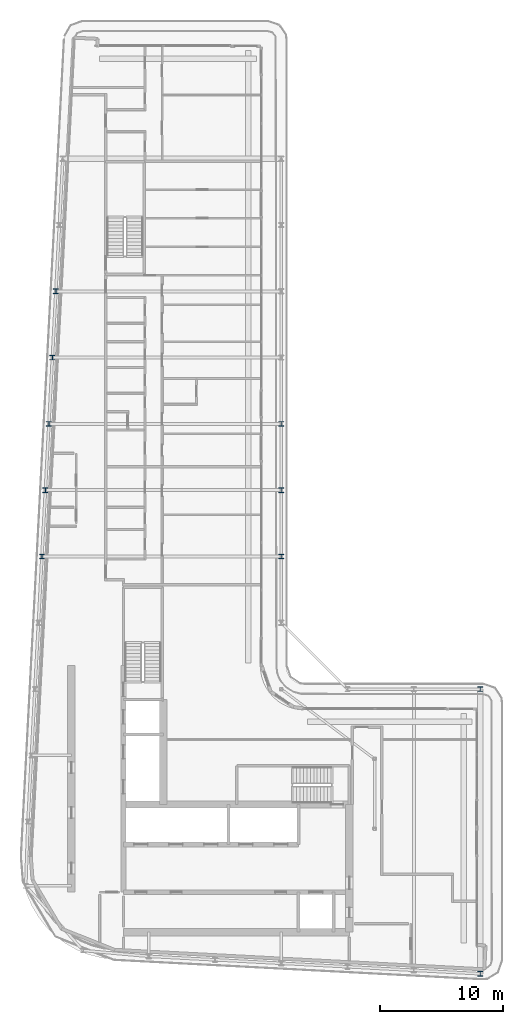
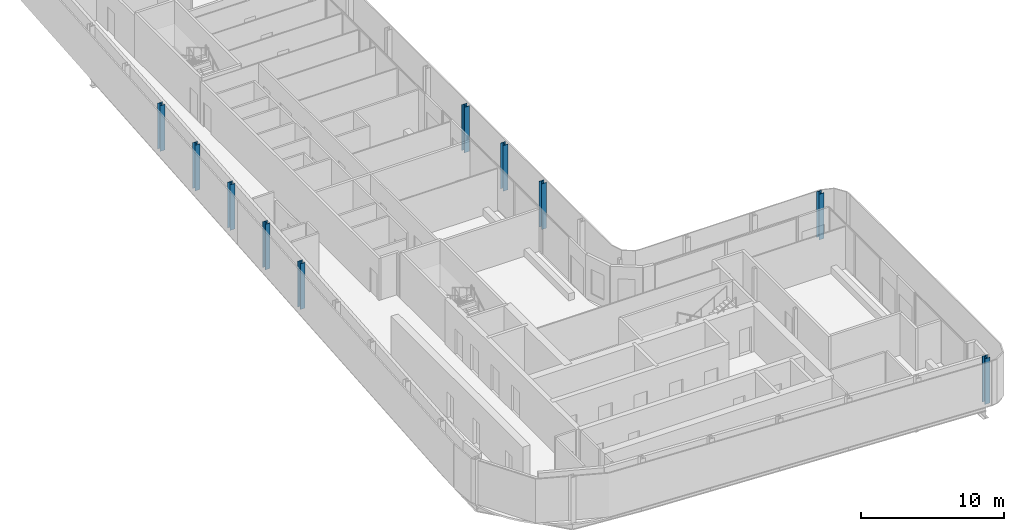
# One storey, part 3 of 21: 10 columns.
"""IFC4 building model written with IfcOpenShell, lengths in metres."""

from ifc_helpers import new_model, si_unit, direction, frame, origin, origin_2d, place, context, subcontext, project, spatial, i_section, extrude, material, material_profile, profile_set, type_object, element, save


model = new_model("IFC4")

# Units and contexts
model_context = context("Model", 3, precision=1e-05, world=origin(), true_north=direction((0.0, 1.0)))
body_context = subcontext(model_context, "Body", "Model", "MODEL_VIEW")
ifc_project = project(units=[si_unit("LENGTHUNIT", "METRE"), si_unit("AREAUNIT", "SQUARE_METRE"), si_unit("VOLUMEUNIT", "CUBIC_METRE"), si_unit("PLANEANGLEUNIT", "RADIAN"), si_unit("MASSUNIT", "GRAM", prefix="KILO")], contexts=[model_context])

# Site, building, storey
site_placement = place(None, origin())
site = spatial("IfcSite", under=ifc_project, at=site_placement, CompositionType="ELEMENT")
building_placement = place(site_placement, origin())
building = spatial("IfcBuilding", under=site, at=building_placement, Name="Kheshtan School and Residences Tower", CompositionType="ELEMENT")
storey_placement = place(building_placement, frame((0.0, 0.0, 278.60009765625)))
storey = spatial("IfcBuildingStorey", under=building, at=storey_placement, Name="L65", CompositionType="ELEMENT", Elevation=278.60009765625)

# Columns
ifc_material = material(Name="Steel ASTM A992 Grade 50", Category="steel")
ifc_material_profile = material_profile(ifc_material, i_section(OverallWidth=0.39501953125, OverallDepth=0.3798828125, WebThickness=0.018798828125, FlangeThickness=0.0302734375, FilletRadius=0.011474609375, at=origin_2d()), Name="W360x237")
ifc_profile_set = profile_set([ifc_material_profile], Name="Steel ASTM A992 Grade 50")
column_type = type_object("IfcColumnType", Name="Column C5 W360x237 ASTM A992 Grade 50", PredefinedType="COLUMN", material=ifc_profile_set)
for number, where, z_axis, x_axis, name in (
    (1, (63.800048828125, 22.410888671875, 0.0), (0.0, 0.0, 1.0), (1.0, 0.0, 0.0), "Column C016"),
    (2, (63.800048828125, 45.60009765625, 0.0), (0.0, 0.0, 1.0), (1.0, 0.0, 0.0), "Column C063"),
    (3, (28.10595703125, 56.39990234375, 0.0), (0.0, 0.0, 1.0), (1.0, 0.0, 0.0), "Column C080"),
    (4, (47.60009765625, 56.39990234375, 0.0), (0.0, 0.0, 1.0), (1.0, 0.0, 0.0), "Column C081"),
    (5, (28.389892578125, 61.800048828125, 0.0), (0.0, 0.0, 1.0), (1.0, 0.0, 0.0), "Column C082"),
    (6, (47.60009765625, 61.800048828125, 0.0), (0.0, 0.0, 1.0), (1.0, 0.0, 0.0), "Column C083"),
    (7, (28.674072265625, 67.199951171875, 0.0), (0.0, 0.0, 1.0), (1.0, 0.0, 0.0), "Column C084"),
    (8, (47.60009765625, 67.199951171875, 0.0), (0.0, 0.0, 1.0), (1.0, 0.0, 0.0), "Column C085"),
    (9, (28.9580078125, 72.60009765625, 0.0), (0.0, 0.0, 1.0), (1.0, 0.0, 0.0), "Column C086"),
    (10, (29.242919921875, 78.0, 0.0), (0.0, 0.0, 1.0), (1.0, 0.0, 0.0), "Column C088"),
):
    element("IfcColumn", number, at=place(storey_placement, frame(where, z_axis=z_axis, x_axis=x_axis)), inside=storey, type_object=column_type, Name=name, PredefinedType="COLUMN", context=body_context, shape_type="SweptSolid", body=[
        extrude(i_section(OverallWidth=0.39501953125, OverallDepth=0.3798828125, WebThickness=0.018798828125, FlangeThickness=0.0302734375, FilletRadius=0.011474609375, at=origin_2d()), origin(), (0.0, 0.0, 1.0), 3.89990234375),
    ])

save(model, "model.ifc")
